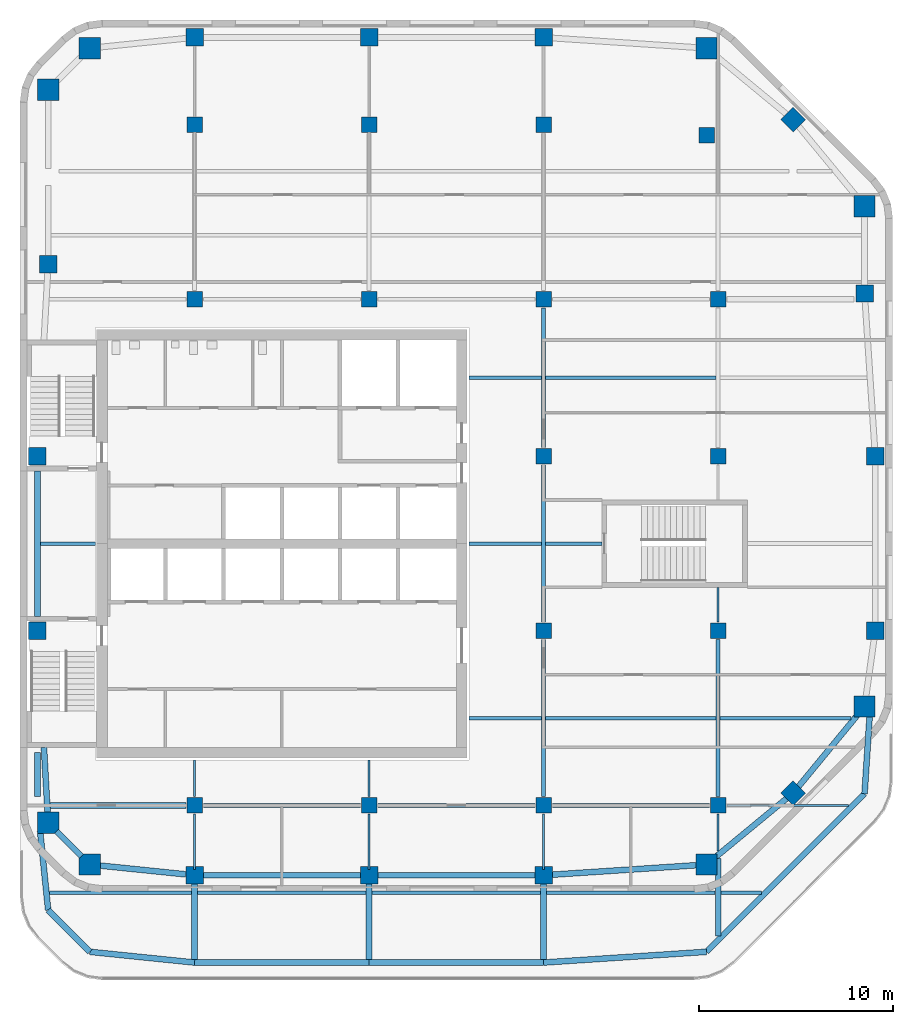
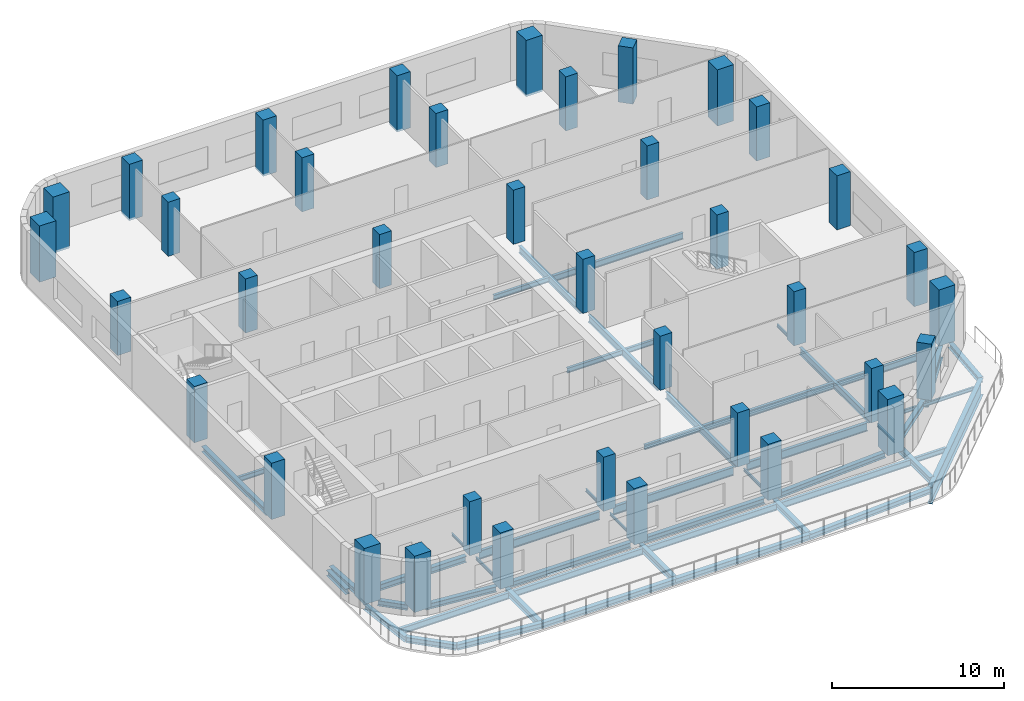
# One storey, part 1 of 8: 52 beams, 38 columns.
"""IFC4 building model written with IfcOpenShell, lengths in metres."""

from ifc_helpers import new_model, si_unit, direction, frame, origin, origin_2d, place, context, subcontext, project, spatial, rectangle, i_section, extrude, material, material_profile, profile_set, type_object, element, save


model = new_model("IFC4")

# Units and contexts
model_context = context("Model", 3, precision=1e-05, world=origin(), true_north=direction((0.0, 1.0)))
body_context = subcontext(model_context, "Body", "Model", "MODEL_VIEW")
ifc_project = project(units=[si_unit("LENGTHUNIT", "METRE"), si_unit("AREAUNIT", "SQUARE_METRE"), si_unit("VOLUMEUNIT", "CUBIC_METRE"), si_unit("PLANEANGLEUNIT", "RADIAN"), si_unit("MASSUNIT", "GRAM", prefix="KILO")], contexts=[model_context])

# Site, building, storey
site_placement = place(None, origin())
site = spatial("IfcSite", under=ifc_project, at=site_placement, CompositionType="ELEMENT")
building_placement = place(site_placement, origin())
building = spatial("IfcBuilding", under=site, at=building_placement, Name="Cinnabar Reach Civic Tower", CompositionType="ELEMENT")
storey_placement = place(building_placement, frame((0.0, 0.0, 198.0)))
storey = spatial("IfcBuildingStorey", under=building, at=storey_placement, Name="L47", CompositionType="ELEMENT", Elevation=198.0)

# Columns
ifc_material_1 = material(Name="Concrete C80", Category="concrete")
ifc_material_profile_1 = material_profile(ifc_material_1, rectangle(XDim=1.1, YDim=1.1, at=origin_2d()), Name="RC1100")
ifc_profile_set_1 = profile_set([ifc_material_profile_1], Name="Concrete C80")
column_type_1 = type_object("IfcColumnType", Name="RC1100 column R 240", PredefinedType="COLUMN", material=ifc_profile_set_1)
for number, where, z_axis, x_axis, name in (
    (1, (3.6019, 14.9531, -0.15), (0.0, 0.0, 1.0), (1.0, 0.0, 0.0), "Column T1-Z4-CC0"),
    (2, (35.3981, 14.9531, -0.15), (0.0, 0.0, 1.0), (1.0, 0.0, 0.0), "Column T1-Z4-CC1"),
    (3, (43.5469, 23.1019, -0.15), (0.0, 0.0, 1.0), (1.0, 0.0, 0.0), "Column T1-Z4-CC2"),
    (4, (43.5469, 48.8981, -0.15), (0.0, 0.0, 1.0), (1.0, 0.0, 0.0), "Column T1-Z4-CC3"),
    (5, (35.3981, 57.0469, -0.15), (0.0, 0.0, 1.0), (1.0, 0.0, 0.0), "Column T1-Z4-CC4"),
    (6, (3.6019, 57.0469, -0.15), (0.0, 0.0, 1.0), (1.0, 0.0, 0.0), "Column T1-Z4-CC5"),
    (7, (1.4531, 54.8981, -0.15), (0.0, 0.0, 1.0), (1.0, 0.0, 0.0), "Column T1-Z4-CC6"),
    (8, (1.4531, 17.1019, -0.15), (0.0, 0.0, 1.0), (1.0, 0.0, 0.0), "Column T1-Z4-CC7"),
):
    element("IfcColumn", number, at=place(storey_placement, frame(where, z_axis=z_axis, x_axis=x_axis)), inside=storey, type_object=column_type_1, Name=name, PredefinedType="COLUMN", context=body_context, shape_type="SweptSolid", body=[
        extrude(rectangle(XDim=1.1, YDim=1.1, at=origin_2d()), origin(), (0.0, 0.0, 1.0), 4.0),
    ])
ifc_material_2 = material(Name="Concrete C60", Category="concrete")
ifc_material_profile_2 = material_profile(ifc_material_2, rectangle(XDim=0.8, YDim=0.8, at=origin_2d()), Name="RC800")
ifc_profile_set_2 = profile_set([ifc_material_profile_2], Name="Concrete C60")
column_type_2 = type_object("IfcColumnType", Name="RC800 column R 240", PredefinedType="COLUMN", material=ifc_profile_set_2)
for number, where, z_axis, x_axis, name in (
    (9, (9.0, 18.0, 0.0), (0.0, 0.0, 1.0), (1.0, 0.0, 0.0), "Column T1-Z4-I9_18"),
    (10, (9.0, 44.1, 0.0), (0.0, 0.0, 1.0), (1.0, 0.0, 0.0), "Column T1-Z4-I9_45"),
    (11, (9.0, 53.1, 0.0), (0.0, 0.0, 1.0), (1.0, 0.0, 0.0), "Column T1-Z4-I9_54"),
    (12, (18.0, 18.0, 0.0), (0.0, 0.0, 1.0), (1.0, 0.0, 0.0), "Column T1-Z4-I18_18"),
    (13, (18.0, 44.1, 0.0), (0.0, 0.0, 1.0), (1.0, 0.0, 0.0), "Column T1-Z4-I18_45"),
    (14, (18.0, 53.1, 0.0), (0.0, 0.0, 1.0), (1.0, 0.0, 0.0), "Column T1-Z4-I18_54"),
    (15, (27.0, 18.0, 0.0), (0.0, 0.0, 1.0), (1.0, 0.0, 0.0), "Column T1-Z4-I27_18"),
    (16, (27.0, 27.0, 0.0), (0.0, 0.0, 1.0), (1.0, 0.0, 0.0), "Column T1-Z4-I27_27"),
    (17, (27.0, 36.0, 0.0), (0.0, 0.0, 1.0), (1.0, 0.0, 0.0), "Column T1-Z4-I27_36"),
    (18, (27.0, 44.1, 0.0), (0.0, 0.0, 1.0), (1.0, 0.0, 0.0), "Column T1-Z4-I27_45"),
    (19, (27.0, 53.1, 0.0), (0.0, 0.0, 1.0), (1.0, 0.0, 0.0), "Column T1-Z4-I27_54"),
    (20, (36.0, 18.0, 0.0), (0.0, 0.0, 1.0), (1.0, 0.0, 0.0), "Column T1-Z4-I36_18"),
    (21, (36.0, 27.0, 0.0), (0.0, 0.0, 1.0), (1.0, 0.0, 0.0), "Column T1-Z4-I36_27"),
    (22, (36.0, 36.0, 0.0), (0.0, 0.0, 1.0), (1.0, 0.0, 0.0), "Column T1-Z4-I36_36"),
    (23, (36.0, 44.1, 0.0), (0.0, 0.0, 1.0), (1.0, 0.0, 0.0), "Column T1-Z4-I36_45"),
    (24, (35.3981, 52.5469, 0.0), (0.0, 0.0, 1.0), (1.0, 0.0, 0.0), "Column T1-Z4-I36_54"),
):
    element("IfcColumn", number, at=place(storey_placement, frame(where, z_axis=z_axis, x_axis=x_axis)), inside=storey, type_object=column_type_2, Name=name, PredefinedType="COLUMN", context=body_context, shape_type="SweptSolid", body=[
        extrude(rectangle(XDim=0.8, YDim=0.8, at=origin_2d()), origin(), (0.0, 0.0, 1.0), 3.85),
    ])
ifc_material_3 = material(Name="Concrete C70", Category="concrete")
ifc_material_profile_3 = material_profile(ifc_material_3, rectangle(XDim=0.9, YDim=0.9, at=origin_2d()), Name="RC900")
ifc_profile_set_3 = profile_set([ifc_material_profile_3], Name="Concrete C70")
column_type_3 = type_object("IfcColumnType", Name="RC900 column R 240", PredefinedType="COLUMN", material=ifc_profile_set_3)
for number, where, z_axis, x_axis, name in (
    (25, (9.0, 14.4, -0.15), (0.0, 0.0, 1.0), (1.0, 0.0, 0.0), "Column T1-Z4-F0-1"),
    (26, (18.0, 14.4, -0.15), (0.0, 0.0, 1.0), (1.0, 0.0, 0.0), "Column T1-Z4-F0-2"),
    (27, (27.0, 14.4, -0.15), (0.0, 0.0, 1.0), (1.0, 0.0, 0.0), "Column T1-Z4-F0-3"),
    (28, (39.8636, 18.6364, -0.15), (0.0, 0.0, 1.0), (0.707106781187, 0.707106781187, 0.0), "Column T1-Z4-F1-M"),
):
    element("IfcColumn", number, at=place(storey_placement, frame(where, z_axis=z_axis, x_axis=x_axis)), inside=storey, type_object=column_type_3, Name=name, PredefinedType="COLUMN", context=body_context, shape_type="SweptSolid", body=[
        extrude(rectangle(XDim=0.9, YDim=0.9, at=origin_2d()), origin(), (0.0, 0.0, 1.0), 4.0),
    ])
for number, where, z_axis, x_axis, name in (
    (29, (44.1, 27.0, 0.0), (0.0, 0.0, 1.0), (1.0, 0.0, 0.0), "Column T1-Z4-F2-3"),
    (30, (44.1, 36.0, 0.0), (0.0, 0.0, 1.0), (1.0, 0.0, 0.0), "Column T1-Z4-F2-4"),
    (31, (43.5469, 44.3981, 0.0), (0.0, 0.0, 1.0), (1.0, 0.0, 0.0), "Column T1-Z4-F2-5"),
):
    element("IfcColumn", number, at=place(storey_placement, frame(where, z_axis=z_axis, x_axis=x_axis)), inside=storey, type_object=column_type_3, Name=name, PredefinedType="COLUMN", context=body_context, shape_type="SweptSolid", body=[
        extrude(rectangle(XDim=0.9, YDim=0.9, at=origin_2d()), origin(), (0.0, 0.0, 1.0), 3.85),
    ])
for number, where, z_axis, x_axis, name in (
    (32, (39.8636, 53.3636, -0.15), (0.0, 0.0, 1.0), (0.707106781187, 0.707106781187, 0.0), "Column T1-Z4-F3-M"),
    (33, (9.0, 57.6, -0.15), (0.0, 0.0, 1.0), (1.0, 0.0, 0.0), "Column T1-Z4-F4-1"),
    (34, (18.0, 57.6, -0.15), (0.0, 0.0, 1.0), (1.0, 0.0, 0.0), "Column T1-Z4-F4-2"),
    (35, (27.0, 57.6, -0.15), (0.0, 0.0, 1.0), (1.0, 0.0, 0.0), "Column T1-Z4-F4-3"),
    (36, (0.9, 27.0, 0.0), (0.0, 0.0, 1.0), (1.0, 0.0, 0.0), "Column T1-Z4-F6-3"),
    (37, (0.9, 36.0, 0.0), (0.0, 0.0, 1.0), (1.0, 0.0, 0.0), "Column T1-Z4-F6-4"),
):
    element("IfcColumn", number, at=place(storey_placement, frame(where, z_axis=z_axis, x_axis=x_axis)), inside=storey, type_object=column_type_3, Name=name, PredefinedType="COLUMN", context=body_context, shape_type="SweptSolid", body=[
        extrude(rectangle(XDim=0.9, YDim=0.9, at=origin_2d()), origin(), (0.0, 0.0, 1.0), 4.0),
    ])
column_placement = place(storey_placement, frame((1.4531, 45.8981, 0.0), z_axis=(0.0, 0.0, 1.0), x_axis=(1.0, 0.0, 0.0)))
element("IfcColumn", 38, at=column_placement, inside=storey, type_object=column_type_3, Name="Column T1-Z4-F6-5", PredefinedType="COLUMN", context=body_context, shape_type="SweptSolid", body=[
    extrude(rectangle(XDim=0.9, YDim=0.9, at=origin_2d()), origin(), (0.0, 0.0, 1.0), 3.85),
])

# Beams
ifc_material_4 = material(Name="Steel Q355B", Category="steel")
ifc_material_profile_4 = material_profile(ifc_material_4, i_section(OverallWidth=0.3, OverallDepth=0.39, WebThickness=0.01, FlangeThickness=0.016, FilletRadius=0.013, at=origin_2d()), Name="HM390x300x10x16")
ifc_profile_set_4 = profile_set([ifc_material_profile_4], Name="Steel Q355B")
beam_type_1 = type_object("IfcBeamType", Name="HM390x300x10x16 beam R 180", PredefinedType="BEAM", material=ifc_profile_set_4)
beam_1_placement = place(storey_placement, frame((4.0339, 14.9088, -0.345), z_axis=(0.994792272495, -0.101923179821, 0.0), x_axis=(0.101923179821, 0.994792272495, 0.0)))
element("IfcBeam", 39, at=beam_1_placement, inside=storey, type_object=beam_type_1, Name="Edge beam T1 L47 1", PredefinedType="BEAM", context=body_context, shape_type="SweptSolid", body=[
    extrude(i_section(OverallWidth=0.3, OverallDepth=0.39, WebThickness=0.01, FlangeThickness=0.016, FilletRadius=0.013, at=origin_2d()), origin(), (0.0, 0.0, 1.0), 4.5377),
])
for number, where, z_axis, x_axis, name in (
    (40, (9.452, 14.4, -0.345), (1.0, 0.0, 0.0), (0.0, 1.0, 0.0), "Edge beam T1 L47 2"),
    (41, (18.452, 14.4, -0.345), (1.0, 0.0, 0.0), (0.0, 1.0, 0.0), "Edge beam T1 L47 3"),
):
    element("IfcBeam", number, at=place(storey_placement, frame(where, z_axis=z_axis, x_axis=x_axis)), inside=storey, type_object=beam_type_1, Name=name, PredefinedType="BEAM", context=body_context, shape_type="SweptSolid", body=[
        extrude(i_section(OverallWidth=0.3, OverallDepth=0.39, WebThickness=0.01, FlangeThickness=0.016, FilletRadius=0.013, at=origin_2d()), origin(), (0.0, 0.0, 1.0), 8.096),
    ])
beam_2_placement = place(storey_placement, frame((27.452, 14.4298, -0.345), z_axis=(0.99783894477, 0.065707231721, 0.0), x_axis=(-0.065707231721, 0.99783894477, 0.0)))
element("IfcBeam", 42, at=beam_2_placement, inside=storey, type_object=beam_type_1, Name="Edge beam T1 L47 4", PredefinedType="BEAM", context=body_context, shape_type="SweptSolid", body=[
    extrude(i_section(OverallWidth=0.3, OverallDepth=0.39, WebThickness=0.01, FlangeThickness=0.016, FilletRadius=0.013, at=origin_2d()), origin(), (0.0, 0.0, 1.0), 7.5304),
])
beam_3_placement = place(storey_placement, frame((35.8301, 15.3094, -0.345), z_axis=(0.771424492935, 0.636320871652, 0.0), x_axis=(-0.636320871652, 0.771424492935, 0.0)))
element("IfcBeam", 43, at=beam_3_placement, inside=storey, type_object=beam_type_1, Name="Edge beam T1 L47 5", PredefinedType="BEAM", context=body_context, shape_type="SweptSolid", body=[
    extrude(i_section(OverallWidth=0.3, OverallDepth=0.39, WebThickness=0.01, FlangeThickness=0.016, FilletRadius=0.013, at=origin_2d()), origin(), (0.0, 0.0, 1.0), 4.8881),
])
beam_4_placement = place(storey_placement, frame((0.9, 35.248, -0.345), z_axis=(0.0, -1.0, 0.0), x_axis=(1.0, 0.0, 0.0)))
element("IfcBeam", 44, at=beam_4_placement, inside=storey, type_object=beam_type_1, Name="Edge beam T1 L47 21", PredefinedType="BEAM", context=body_context, shape_type="SweptSolid", body=[
    extrude(i_section(OverallWidth=0.3, OverallDepth=0.39, WebThickness=0.01, FlangeThickness=0.016, FilletRadius=0.013, at=origin_2d()), origin(), (0.0, 0.0, 1.0), 7.496),
])
beam_5_placement = place(storey_placement, frame((1.2354, 20.998, -0.345), z_axis=(0.05580045603, -0.998441940779, 0.0), x_axis=(0.998441940779, 0.05580045603, 0.0)))
element("IfcBeam", 45, at=beam_5_placement, inside=storey, type_object=beam_type_1, Name="Edge beam T1 L47 22", PredefinedType="BEAM", context=body_context, shape_type="SweptSolid", body=[
    extrude(i_section(OverallWidth=0.3, OverallDepth=0.39, WebThickness=0.01, FlangeThickness=0.016, FilletRadius=0.013, at=origin_2d()), origin(), (0.0, 0.0, 1.0), 3.4695),
])
beam_6_placement = place(storey_placement, frame((1.8851, 16.6699, -0.345), z_axis=(0.707106781187, -0.707106781187, 0.0), x_axis=(0.707106781187, 0.707106781187, 0.0)))
element("IfcBeam", 46, at=beam_6_placement, inside=storey, type_object=beam_type_1, Name="Edge beam T1 L47 23", PredefinedType="BEAM", context=body_context, shape_type="SweptSolid", body=[
    extrude(i_section(OverallWidth=0.3, OverallDepth=0.39, WebThickness=0.01, FlangeThickness=0.016, FilletRadius=0.013, at=origin_2d()), origin(), (0.0, 0.0, 1.0), 1.817),
])
beam_7_placement = place(storey_placement, frame((3.6019, 10.4531, -0.345), z_axis=(0.994791744888, -0.101928329245, 0.0), x_axis=(0.101928329245, 0.994791744888, 0.0)))
element("IfcBeam", 47, at=beam_7_placement, inside=storey, type_object=beam_type_1, Name="Edge beam T1 L47 24", PredefinedType="BEAM", context=body_context, shape_type="SweptSolid", body=[
    extrude(i_section(OverallWidth=0.3, OverallDepth=0.39, WebThickness=0.01, FlangeThickness=0.016, FilletRadius=0.013, at=origin_2d()), origin(), (0.0, 0.0, 1.0), 5.4264),
])
for number, where, z_axis, x_axis, name in (
    (48, (9.0, 9.9, -0.345), (1.0, 0.0, 0.0), (0.0, 1.0, 0.0), "Edge beam T1 L47 25"),
    (49, (18.0, 9.9, -0.345), (1.0, 0.0, 0.0), (0.0, 1.0, 0.0), "Edge beam T1 L47 26"),
):
    element("IfcBeam", number, at=place(storey_placement, frame(where, z_axis=z_axis, x_axis=x_axis)), inside=storey, type_object=beam_type_1, Name=name, PredefinedType="BEAM", context=body_context, shape_type="SweptSolid", body=[
        extrude(i_section(OverallWidth=0.3, OverallDepth=0.39, WebThickness=0.01, FlangeThickness=0.016, FilletRadius=0.013, at=origin_2d()), origin(), (0.0, 0.0, 1.0), 9.0),
    ])
beam_8_placement = place(storey_placement, frame((27.0, 9.9, -0.345), z_axis=(0.997838251302, 0.065717761969, 0.0), x_axis=(-0.065717761969, 0.997838251302, 0.0)))
element("IfcBeam", 50, at=beam_8_placement, inside=storey, type_object=beam_type_1, Name="Edge beam T1 L47 27", PredefinedType="BEAM", context=body_context, shape_type="SweptSolid", body=[
    extrude(i_section(OverallWidth=0.3, OverallDepth=0.39, WebThickness=0.01, FlangeThickness=0.016, FilletRadius=0.013, at=origin_2d()), origin(), (0.0, 0.0, 1.0), 8.4163),
])
beam_9_placement = place(storey_placement, frame((43.5469, 18.6019, -0.345), z_axis=(0.065713114435, 0.997838557379, 0.0), x_axis=(-0.997838557379, 0.065713114435, 0.0)))
element("IfcBeam", 51, at=beam_9_placement, inside=storey, type_object=beam_type_1, Name="Edge beam T1 L47 29", PredefinedType="BEAM", context=body_context, shape_type="SweptSolid", body=[
    extrude(i_section(OverallWidth=0.3, OverallDepth=0.39, WebThickness=0.01, FlangeThickness=0.016, FilletRadius=0.013, at=origin_2d()), origin(), (0.0, 0.0, 1.0), 4.0768),
])
beam_10_placement = place(storey_placement, frame((0.9, 20.7267, -0.345), z_axis=(0.0, -1.0, 0.0), x_axis=(1.0, 0.0, 0.0)))
element("IfcBeam", 52, at=beam_10_placement, inside=storey, type_object=beam_type_1, Name="Edge beam T1 L47 30", PredefinedType="BEAM", context=body_context, shape_type="SweptSolid", body=[
    extrude(i_section(OverallWidth=0.3, OverallDepth=0.39, WebThickness=0.01, FlangeThickness=0.016, FilletRadius=0.013, at=origin_2d()), origin(), (0.0, 0.0, 1.0), 2.2747),
])
beam_11_placement = place(storey_placement, frame((1.0363, 16.6699, -0.345), z_axis=(0.101924620855, -0.99479212485, 0.0), x_axis=(0.99479212485, 0.101924620855, 0.0)))
element("IfcBeam", 53, at=beam_11_placement, inside=storey, type_object=beam_type_1, Name="Edge beam T1 L47 31", PredefinedType="BEAM", context=body_context, shape_type="SweptSolid", body=[
    extrude(i_section(OverallWidth=0.3, OverallDepth=0.39, WebThickness=0.01, FlangeThickness=0.016, FilletRadius=0.013, at=origin_2d()), origin(), (0.0, 0.0, 1.0), 4.0893),
])
beam_12_placement = place(storey_placement, frame((1.4531, 12.6019, -0.345), z_axis=(0.707106781187, -0.707106781187, 0.0), x_axis=(0.707106781187, 0.707106781187, 0.0)))
element("IfcBeam", 54, at=beam_12_placement, inside=storey, type_object=beam_type_1, Name="Edge beam T1 L47 32", PredefinedType="BEAM", context=body_context, shape_type="SweptSolid", body=[
    extrude(i_section(OverallWidth=0.3, OverallDepth=0.39, WebThickness=0.01, FlangeThickness=0.016, FilletRadius=0.013, at=origin_2d()), origin(), (0.0, 0.0, 1.0), 3.0389),
])
ifc_material_profile_5 = material_profile(ifc_material_4, i_section(OverallWidth=0.3, OverallDepth=0.44, WebThickness=0.011, FlangeThickness=0.018, FilletRadius=0.016, at=origin_2d()), Name="HM440x300x11x18")
ifc_profile_set_5 = profile_set([ifc_material_profile_5], Name="Steel Q355B")
beam_type_2 = type_object("IfcBeamType", Name="HM440x300x11x18 beam R 180", PredefinedType="BEAM", material=ifc_profile_set_5)
beam_13_placement = place(storey_placement, frame((1.5552, 18.0, -0.37), z_axis=(1.0, 0.0, 0.0), x_axis=(0.0, 1.0, 0.0)))
element("IfcBeam", 55, at=beam_13_placement, inside=storey, type_object=beam_type_2, Name="Girder T1 L47 1", PredefinedType="BEAM", context=body_context, shape_type="SweptSolid", body=[
    extrude(i_section(OverallWidth=0.3, OverallDepth=0.44, WebThickness=0.011, FlangeThickness=0.018, FilletRadius=0.016, at=origin_2d()), origin(), (0.0, 0.0, 1.0), 6.9928),
])
beam_14_placement = place(storey_placement, frame((9.0, 10.0528, -0.37), z_axis=(0.0, 1.0, 0.0), x_axis=(-1.0, 0.0, 0.0)))
element("IfcBeam", 56, at=beam_14_placement, inside=storey, type_object=beam_type_2, Name="Girder T1 L47 1", PredefinedType="BEAM", context=body_context, shape_type="SweptSolid", body=[
    extrude(i_section(OverallWidth=0.3, OverallDepth=0.44, WebThickness=0.011, FlangeThickness=0.018, FilletRadius=0.016, at=origin_2d()), origin(), (0.0, 0.0, 1.0), 4.0452),
])
beam_15_placement = place(storey_placement, frame((18.0, 10.052, -0.37), z_axis=(0.0, 1.0, 0.0), x_axis=(-1.0, 0.0, 0.0)))
element("IfcBeam", 57, at=beam_15_placement, inside=storey, type_object=beam_type_2, Name="Girder T1 L47 5", PredefinedType="BEAM", context=body_context, shape_type="SweptSolid", body=[
    extrude(i_section(OverallWidth=0.3, OverallDepth=0.44, WebThickness=0.011, FlangeThickness=0.018, FilletRadius=0.016, at=origin_2d()), origin(), (0.0, 0.0, 1.0), 4.046),
])
beam_16_placement = place(storey_placement, frame((27.0, 10.0523, -0.37), z_axis=(0.0, 1.0, 0.0), x_axis=(-1.0, 0.0, 0.0)))
element("IfcBeam", 58, at=beam_16_placement, inside=storey, type_object=beam_type_2, Name="Girder T1 L47 9", PredefinedType="BEAM", context=body_context, shape_type="SweptSolid", body=[
    extrude(i_section(OverallWidth=0.3, OverallDepth=0.44, WebThickness=0.011, FlangeThickness=0.018, FilletRadius=0.016, at=origin_2d()), origin(), (0.0, 0.0, 1.0), 4.0457),
])
beam_17_placement = place(storey_placement, frame((36.0, 11.27, -0.37), z_axis=(0.0, 1.0, 0.0), x_axis=(-1.0, 0.0, 0.0)))
element("IfcBeam", 59, at=beam_17_placement, inside=storey, type_object=beam_type_2, Name="Girder T1 L47 15", PredefinedType="BEAM", context=body_context, shape_type="SweptSolid", body=[
    extrude(i_section(OverallWidth=0.3, OverallDepth=0.44, WebThickness=0.011, FlangeThickness=0.018, FilletRadius=0.016, at=origin_2d()), origin(), (0.0, 0.0, 1.0), 3.9825),
])
ifc_material_profile_6 = material_profile(ifc_material_4, i_section(OverallWidth=0.099, OverallDepth=0.198, WebThickness=0.0045, FlangeThickness=0.007, FilletRadius=0.013, at=origin_2d()), Name="HN200x100x5.5x8")
ifc_profile_set_6 = profile_set([ifc_material_profile_6], Name="Steel Q355B")
beam_type_3 = type_object("IfcBeamType", Name="HN200x100x5.5x8 beam R 180", PredefinedType="BEAM", material=ifc_profile_set_6)
beam_18_placement = place(storey_placement, frame((9.0, 14.702, -0.249), z_axis=(0.0, 1.0, 0.0), x_axis=(-1.0, 0.0, 0.0)))
element("IfcBeam", 60, at=beam_18_placement, inside=storey, type_object=beam_type_3, Name="Girder T1 L47 2", PredefinedType="BEAM", context=body_context, shape_type="SweptSolid", body=[
    extrude(i_section(OverallWidth=0.099, OverallDepth=0.198, WebThickness=0.0045, FlangeThickness=0.007, FilletRadius=0.013, at=origin_2d()), origin(), (0.0, 0.0, 1.0), 2.846),
])
beam_19_placement = place(storey_placement, frame((9.0, 18.452, -0.249), z_axis=(0.0, 1.0, 0.0), x_axis=(-1.0, 0.0, 0.0)))
element("IfcBeam", 61, at=beam_19_placement, inside=storey, type_object=beam_type_3, Name="Girder T1 L47 3", PredefinedType="BEAM", context=body_context, shape_type="SweptSolid", body=[
    extrude(i_section(OverallWidth=0.099, OverallDepth=0.198, WebThickness=0.0045, FlangeThickness=0.007, FilletRadius=0.013, at=origin_2d()), origin(), (0.0, 0.0, 1.0), 1.896),
])
beam_20_placement = place(storey_placement, frame((18.0, 14.702, -0.249), z_axis=(0.0, 1.0, 0.0), x_axis=(-1.0, 0.0, 0.0)))
element("IfcBeam", 62, at=beam_20_placement, inside=storey, type_object=beam_type_3, Name="Girder T1 L47 6", PredefinedType="BEAM", context=body_context, shape_type="SweptSolid", body=[
    extrude(i_section(OverallWidth=0.099, OverallDepth=0.198, WebThickness=0.0045, FlangeThickness=0.007, FilletRadius=0.013, at=origin_2d()), origin(), (0.0, 0.0, 1.0), 2.846),
])
beam_21_placement = place(storey_placement, frame((18.0, 18.452, -0.249), z_axis=(0.0, 1.0, 0.0), x_axis=(-1.0, 0.0, 0.0)))
element("IfcBeam", 63, at=beam_21_placement, inside=storey, type_object=beam_type_3, Name="Girder T1 L47 7", PredefinedType="BEAM", context=body_context, shape_type="SweptSolid", body=[
    extrude(i_section(OverallWidth=0.099, OverallDepth=0.198, WebThickness=0.0045, FlangeThickness=0.007, FilletRadius=0.013, at=origin_2d()), origin(), (0.0, 0.0, 1.0), 1.896),
])
beam_22_placement = place(storey_placement, frame((27.0, 14.702, -0.249), z_axis=(0.0, 1.0, 0.0), x_axis=(-1.0, 0.0, 0.0)))
element("IfcBeam", 64, at=beam_22_placement, inside=storey, type_object=beam_type_3, Name="Girder T1 L47 10", PredefinedType="BEAM", context=body_context, shape_type="SweptSolid", body=[
    extrude(i_section(OverallWidth=0.099, OverallDepth=0.198, WebThickness=0.0045, FlangeThickness=0.007, FilletRadius=0.013, at=origin_2d()), origin(), (0.0, 0.0, 1.0), 2.846),
])
beam_23_placement = place(storey_placement, frame((36.0, 15.6466, -0.249), z_axis=(0.0, 1.0, 0.0), x_axis=(-1.0, 0.0, 0.0)))
element("IfcBeam", 65, at=beam_23_placement, inside=storey, type_object=beam_type_3, Name="Girder T1 L47 16", PredefinedType="BEAM", context=body_context, shape_type="SweptSolid", body=[
    extrude(i_section(OverallWidth=0.099, OverallDepth=0.198, WebThickness=0.0045, FlangeThickness=0.007, FilletRadius=0.013, at=origin_2d()), origin(), (0.0, 0.0, 1.0), 1.9014),
])
beam_24_placement = place(storey_placement, frame((36.0, 27.452, -0.249), z_axis=(0.0, 1.0, 0.0), x_axis=(-1.0, 0.0, 0.0)))
element("IfcBeam", 66, at=beam_24_placement, inside=storey, type_object=beam_type_3, Name="Girder T1 L47 18", PredefinedType="BEAM", context=body_context, shape_type="SweptSolid", body=[
    extrude(i_section(OverallWidth=0.099, OverallDepth=0.198, WebThickness=0.0045, FlangeThickness=0.007, FilletRadius=0.013, at=origin_2d()), origin(), (0.0, 0.0, 1.0), 1.796),
])
ifc_material_profile_7 = material_profile(ifc_material_4, i_section(OverallWidth=0.124, OverallDepth=0.248, WebThickness=0.005, FlangeThickness=0.008, FilletRadius=0.013, at=origin_2d()), Name="HN250x125x6x9")
ifc_profile_set_7 = profile_set([ifc_material_profile_7], Name="Steel Q355B")
beam_type_4 = type_object("IfcBeamType", Name="HN250x125x6x9 beam R 180", PredefinedType="BEAM", material=ifc_profile_set_7)
beam_25_placement = place(storey_placement, frame((36.452, 18.0, -0.274), z_axis=(1.0, 0.0, 0.0), x_axis=(0.0, 1.0, 0.0)))
element("IfcBeam", 67, at=beam_25_placement, inside=storey, type_object=beam_type_4, Name="Girder T1 L47 5", PredefinedType="BEAM", context=body_context, shape_type="SweptSolid", body=[
    extrude(i_section(OverallWidth=0.124, OverallDepth=0.248, WebThickness=0.005, FlangeThickness=0.008, FilletRadius=0.013, at=origin_2d()), origin(), (0.0, 0.0, 1.0), 2.4012),
])
beam_26_placement = place(storey_placement, frame((39.3309, 18.0, -0.274), z_axis=(1.0, 0.0, 0.0), x_axis=(0.0, 1.0, 0.0)))
element("IfcBeam", 68, at=beam_26_placement, inside=storey, type_object=beam_type_4, Name="Girder T1 L47 6", PredefinedType="BEAM", context=body_context, shape_type="SweptSolid", body=[
    extrude(i_section(OverallWidth=0.124, OverallDepth=0.248, WebThickness=0.005, FlangeThickness=0.008, FilletRadius=0.013, at=origin_2d()), origin(), (0.0, 0.0, 1.0), 3.3991),
])
ifc_material_profile_8 = material_profile(ifc_material_4, i_section(OverallWidth=0.174, OverallDepth=0.346, WebThickness=0.006, FlangeThickness=0.009, FilletRadius=0.013, at=origin_2d()), Name="HN346x174x6x9")
ifc_profile_set_8 = profile_set([ifc_material_profile_8], Name="Steel Q355B")
beam_type_5 = type_object("IfcBeamType", Name="HN346x174x6x9 beam R 180", PredefinedType="BEAM", material=ifc_profile_set_8)
beam_27_placement = place(storey_placement, frame((36.152, 13.5, -0.323), z_axis=(1.0, 0.0, 0.0), x_axis=(0.0, 1.0, 0.0)))
element("IfcBeam", 69, at=beam_27_placement, inside=storey, type_object=beam_type_5, Name="Secondary beam T1 L47 5", PredefinedType="BEAM", context=body_context, shape_type="SweptSolid", body=[
    extrude(i_section(OverallWidth=0.174, OverallDepth=0.346, WebThickness=0.006, FlangeThickness=0.009, FilletRadius=0.013, at=origin_2d()), origin(), (0.0, 0.0, 1.0), 2.078),
])
beam_28_placement = place(storey_placement, frame((23.152, 22.5, -0.323), z_axis=(1.0, 0.0, 0.0), x_axis=(0.0, 1.0, 0.0)))
element("IfcBeam", 70, at=beam_28_placement, inside=storey, type_object=beam_type_5, Name="Secondary beam T1 L47 6", PredefinedType="BEAM", context=body_context, shape_type="SweptSolid", body=[
    extrude(i_section(OverallWidth=0.174, OverallDepth=0.346, WebThickness=0.006, FlangeThickness=0.009, FilletRadius=0.013, at=origin_2d()), origin(), (0.0, 0.0, 1.0), 3.746),
])
beam_29_placement = place(storey_placement, frame((1.052, 31.5, -0.323), z_axis=(1.0, 0.0, 0.0), x_axis=(0.0, 1.0, 0.0)))
element("IfcBeam", 71, at=beam_29_placement, inside=storey, type_object=beam_type_5, Name="Secondary beam T1 L47 9", PredefinedType="BEAM", context=body_context, shape_type="SweptSolid", body=[
    extrude(i_section(OverallWidth=0.174, OverallDepth=0.346, WebThickness=0.006, FlangeThickness=0.009, FilletRadius=0.013, at=origin_2d()), origin(), (0.0, 0.0, 1.0), 2.846),
])
beam_30_placement = place(storey_placement, frame((23.152, 31.5, -0.323), z_axis=(1.0, 0.0, 0.0), x_axis=(0.0, 1.0, 0.0)))
element("IfcBeam", 72, at=beam_30_placement, inside=storey, type_object=beam_type_5, Name="Secondary beam T1 L47 10", PredefinedType="BEAM", context=body_context, shape_type="SweptSolid", body=[
    extrude(i_section(OverallWidth=0.174, OverallDepth=0.346, WebThickness=0.006, FlangeThickness=0.009, FilletRadius=0.013, at=origin_2d()), origin(), (0.0, 0.0, 1.0), 3.746),
])
beam_31_placement = place(storey_placement, frame((27.102, 31.5, -0.323), z_axis=(1.0, 0.0, 0.0), x_axis=(0.0, 1.0, 0.0)))
element("IfcBeam", 73, at=beam_31_placement, inside=storey, type_object=beam_type_5, Name="Secondary beam T1 L47 11", PredefinedType="BEAM", context=body_context, shape_type="SweptSolid", body=[
    extrude(i_section(OverallWidth=0.174, OverallDepth=0.346, WebThickness=0.006, FlangeThickness=0.009, FilletRadius=0.013, at=origin_2d()), origin(), (0.0, 0.0, 1.0), 2.896),
])
beam_32_placement = place(storey_placement, frame((23.152, 40.05, -0.323), z_axis=(1.0, 0.0, 0.0), x_axis=(0.0, 1.0, 0.0)))
element("IfcBeam", 74, at=beam_32_placement, inside=storey, type_object=beam_type_5, Name="Secondary beam T1 L47 13", PredefinedType="BEAM", context=body_context, shape_type="SweptSolid", body=[
    extrude(i_section(OverallWidth=0.174, OverallDepth=0.346, WebThickness=0.006, FlangeThickness=0.009, FilletRadius=0.013, at=origin_2d()), origin(), (0.0, 0.0, 1.0), 3.746),
])
ifc_material_profile_9 = material_profile(ifc_material_4, i_section(OverallWidth=0.199, OverallDepth=0.446, WebThickness=0.008, FlangeThickness=0.012, FilletRadius=0.016, at=origin_2d()), Name="HN446x199x8x12")
ifc_profile_set_9 = profile_set([ifc_material_profile_9], Name="Steel Q355B")
beam_type_6 = type_object("IfcBeamType", Name="HN446x199x8x12 beam R 180", PredefinedType="BEAM", material=ifc_profile_set_9)
beam_33_placement = place(storey_placement, frame((1.5139, 13.5, -0.373), z_axis=(1.0, 0.0, 0.0), x_axis=(0.0, 1.0, 0.0)))
element("IfcBeam", 75, at=beam_33_placement, inside=storey, type_object=beam_type_6, Name="Secondary beam T1 L47 1", PredefinedType="BEAM", context=body_context, shape_type="SweptSolid", body=[
    extrude(i_section(OverallWidth=0.199, OverallDepth=0.446, WebThickness=0.008, FlangeThickness=0.012, FilletRadius=0.016, at=origin_2d()), origin(), (0.0, 0.0, 1.0), 7.3341),
])
for number, where, z_axis, x_axis, name in (
    (76, (9.152, 13.5, -0.373), (1.0, 0.0, 0.0), (0.0, 1.0, 0.0), "Secondary beam T1 L47 2"),
    (77, (18.152, 13.5, -0.373), (1.0, 0.0, 0.0), (0.0, 1.0, 0.0), "Secondary beam T1 L47 3"),
    (78, (27.152, 13.5, -0.373), (1.0, 0.0, 0.0), (0.0, 1.0, 0.0), "Secondary beam T1 L47 4"),
):
    element("IfcBeam", number, at=place(storey_placement, frame(where, z_axis=z_axis, x_axis=x_axis)), inside=storey, type_object=beam_type_6, Name=name, PredefinedType="BEAM", context=body_context, shape_type="SweptSolid", body=[
        extrude(i_section(OverallWidth=0.199, OverallDepth=0.446, WebThickness=0.008, FlangeThickness=0.012, FilletRadius=0.016, at=origin_2d()), origin(), (0.0, 0.0, 1.0), 8.696),
    ])
beam_34_placement = place(storey_placement, frame((27.102, 22.5, -0.373), z_axis=(1.0, 0.0, 0.0), x_axis=(0.0, 1.0, 0.0)))
element("IfcBeam", 79, at=beam_34_placement, inside=storey, type_object=beam_type_6, Name="Secondary beam T1 L47 7", PredefinedType="BEAM", context=body_context, shape_type="SweptSolid", body=[
    extrude(i_section(OverallWidth=0.199, OverallDepth=0.446, WebThickness=0.008, FlangeThickness=0.012, FilletRadius=0.016, at=origin_2d()), origin(), (0.0, 0.0, 1.0), 8.796),
])
beam_35_placement = place(storey_placement, frame((36.102, 22.5, -0.373), z_axis=(1.0, 0.0, 0.0), x_axis=(0.0, 1.0, 0.0)))
element("IfcBeam", 80, at=beam_35_placement, inside=storey, type_object=beam_type_6, Name="Secondary beam T1 L47 8", PredefinedType="BEAM", context=body_context, shape_type="SweptSolid", body=[
    extrude(i_section(OverallWidth=0.199, OverallDepth=0.446, WebThickness=0.008, FlangeThickness=0.012, FilletRadius=0.016, at=origin_2d()), origin(), (0.0, 0.0, 1.0), 6.7514),
])
beam_36_placement = place(storey_placement, frame((27.102, 40.05, -0.373), z_axis=(1.0, 0.0, 0.0), x_axis=(0.0, 1.0, 0.0)))
element("IfcBeam", 81, at=beam_36_placement, inside=storey, type_object=beam_type_6, Name="Secondary beam T1 L47 14", PredefinedType="BEAM", context=body_context, shape_type="SweptSolid", body=[
    extrude(i_section(OverallWidth=0.199, OverallDepth=0.446, WebThickness=0.008, FlangeThickness=0.012, FilletRadius=0.016, at=origin_2d()), origin(), (0.0, 0.0, 1.0), 8.796),
])
ifc_material_profile_10 = material_profile(ifc_material_4, i_section(OverallWidth=0.2, OverallDepth=0.5, WebThickness=0.01, FlangeThickness=0.016, FilletRadius=0.016, at=origin_2d()), Name="HN500x200x10x16")
ifc_profile_set_10 = profile_set([ifc_material_profile_10], Name="Steel Q355B")
beam_type_7 = type_object("IfcBeamType", Name="HN500x200x10x16 beam R 180", PredefinedType="BEAM", material=ifc_profile_set_10)
for number, where, z_axis, x_axis, name in (
    (82, (27.0, 18.452, -0.4), (0.0, 1.0, 0.0), (-1.0, 0.0, 0.0), "Girder T1 L47 11"),
    (83, (27.0, 27.452, -0.4), (0.0, 1.0, 0.0), (-1.0, 0.0, 0.0), "Girder T1 L47 12"),
):
    element("IfcBeam", number, at=place(storey_placement, frame(where, z_axis=z_axis, x_axis=x_axis)), inside=storey, type_object=beam_type_7, Name=name, PredefinedType="BEAM", context=body_context, shape_type="SweptSolid", body=[
        extrude(i_section(OverallWidth=0.2, OverallDepth=0.5, WebThickness=0.01, FlangeThickness=0.016, FilletRadius=0.016, at=origin_2d()), origin(), (0.0, 0.0, 1.0), 8.096),
    ])
beam_37_placement = place(storey_placement, frame((27.0, 36.452, -0.4), z_axis=(0.0, 1.0, 0.0), x_axis=(-1.0, 0.0, 0.0)))
element("IfcBeam", 84, at=beam_37_placement, inside=storey, type_object=beam_type_7, Name="Girder T1 L47 13", PredefinedType="BEAM", context=body_context, shape_type="SweptSolid", body=[
    extrude(i_section(OverallWidth=0.2, OverallDepth=0.5, WebThickness=0.01, FlangeThickness=0.016, FilletRadius=0.016, at=origin_2d()), origin(), (0.0, 0.0, 1.0), 7.196),
])
beam_38_placement = place(storey_placement, frame((36.0, 18.452, -0.4), z_axis=(0.0, 1.0, 0.0), x_axis=(-1.0, 0.0, 0.0)))
element("IfcBeam", 85, at=beam_38_placement, inside=storey, type_object=beam_type_7, Name="Girder T1 L47 17", PredefinedType="BEAM", context=body_context, shape_type="SweptSolid", body=[
    extrude(i_section(OverallWidth=0.2, OverallDepth=0.5, WebThickness=0.01, FlangeThickness=0.016, FilletRadius=0.016, at=origin_2d()), origin(), (0.0, 0.0, 1.0), 8.096),
])
ifc_material_profile_11 = material_profile(ifc_material_4, i_section(OverallWidth=0.199, OverallDepth=0.596, WebThickness=0.01, FlangeThickness=0.015, FilletRadius=0.016, at=origin_2d()), Name="HN596x199x10x15")
ifc_profile_set_11 = profile_set([ifc_material_profile_11], Name="Steel Q355B")
beam_type_8 = type_object("IfcBeamType", Name="HN596x199x10x15 beam R 180", PredefinedType="BEAM", material=ifc_profile_set_11)
for number, where, z_axis, x_axis, name in (
    (86, (9.452, 18.0, -0.448), (1.0, 0.0, 0.0), (0.0, 1.0, 0.0), "Girder T1 L47 2"),
    (87, (18.452, 18.0, -0.448), (1.0, 0.0, 0.0), (0.0, 1.0, 0.0), "Girder T1 L47 3"),
    (88, (27.452, 18.0, -0.448), (1.0, 0.0, 0.0), (0.0, 1.0, 0.0), "Girder T1 L47 4"),
):
    element("IfcBeam", number, at=place(storey_placement, frame(where, z_axis=z_axis, x_axis=x_axis)), inside=storey, type_object=beam_type_8, Name=name, PredefinedType="BEAM", context=body_context, shape_type="SweptSolid", body=[
        extrude(i_section(OverallWidth=0.199, OverallDepth=0.596, WebThickness=0.01, FlangeThickness=0.015, FilletRadius=0.016, at=origin_2d()), origin(), (0.0, 0.0, 1.0), 8.096),
    ])
ifc_material_profile_12 = material_profile(ifc_material_4, i_section(OverallWidth=0.3, OverallDepth=1.2, WebThickness=0.02, FlangeThickness=0.032, at=origin_2d()), Name="BH1200x300x20x32")
ifc_profile_set_12 = profile_set([ifc_material_profile_12], Name="Steel Q355B")
beam_type_9 = type_object("IfcBeamType", Name="TRANSFER BH1200x300x20x32 R 240", PredefinedType="BEAM", material=ifc_profile_set_12)
beam_39_placement = place(storey_placement, frame((35.3981, 10.4531, -0.75), z_axis=(0.707106781187, 0.707106781187, 0.0), x_axis=(-0.707106781187, 0.707106781187, 0.0)))
element("IfcBeam", 89, at=beam_39_placement, inside=storey, type_object=beam_type_9, Name="Edge beam T1 L47 28", PredefinedType="BEAM", context=body_context, shape_type="SweptSolid", body=[
    extrude(i_section(OverallWidth=0.3, OverallDepth=1.2, WebThickness=0.02, FlangeThickness=0.032, at=origin_2d()), origin(), (0.0, 0.0, 1.0), 11.5241),
])
ifc_material_profile_13 = material_profile(ifc_material_4, i_section(OverallWidth=0.3, OverallDepth=0.9, WebThickness=0.016, FlangeThickness=0.028, FilletRadius=0.02, at=origin_2d()), Name="HN900x300x16x28")
ifc_profile_set_13 = profile_set([ifc_material_profile_13], Name="Steel Q355B")
beam_type_10 = type_object("IfcBeamType", Name="TRANSFER HN900x300x16x28 R 240", PredefinedType="BEAM", material=ifc_profile_set_13)
beam_40_placement = place(storey_placement, frame((39.8962, 18.6759, -0.6), z_axis=(0.636308249548, 0.77143490429, 0.0), x_axis=(-0.77143490429, 0.636308249548, 0.0)))
element("IfcBeam", 90, at=beam_40_placement, inside=storey, type_object=beam_type_10, Name="Edge beam T1 L47 6", PredefinedType="BEAM", context=body_context, shape_type="SweptSolid", body=[
    extrude(i_section(OverallWidth=0.3, OverallDepth=0.9, WebThickness=0.016, FlangeThickness=0.028, FilletRadius=0.02, at=origin_2d()), origin(), (0.0, 0.0, 1.0), 5.1774),
])

save(model, "model.ifc")
